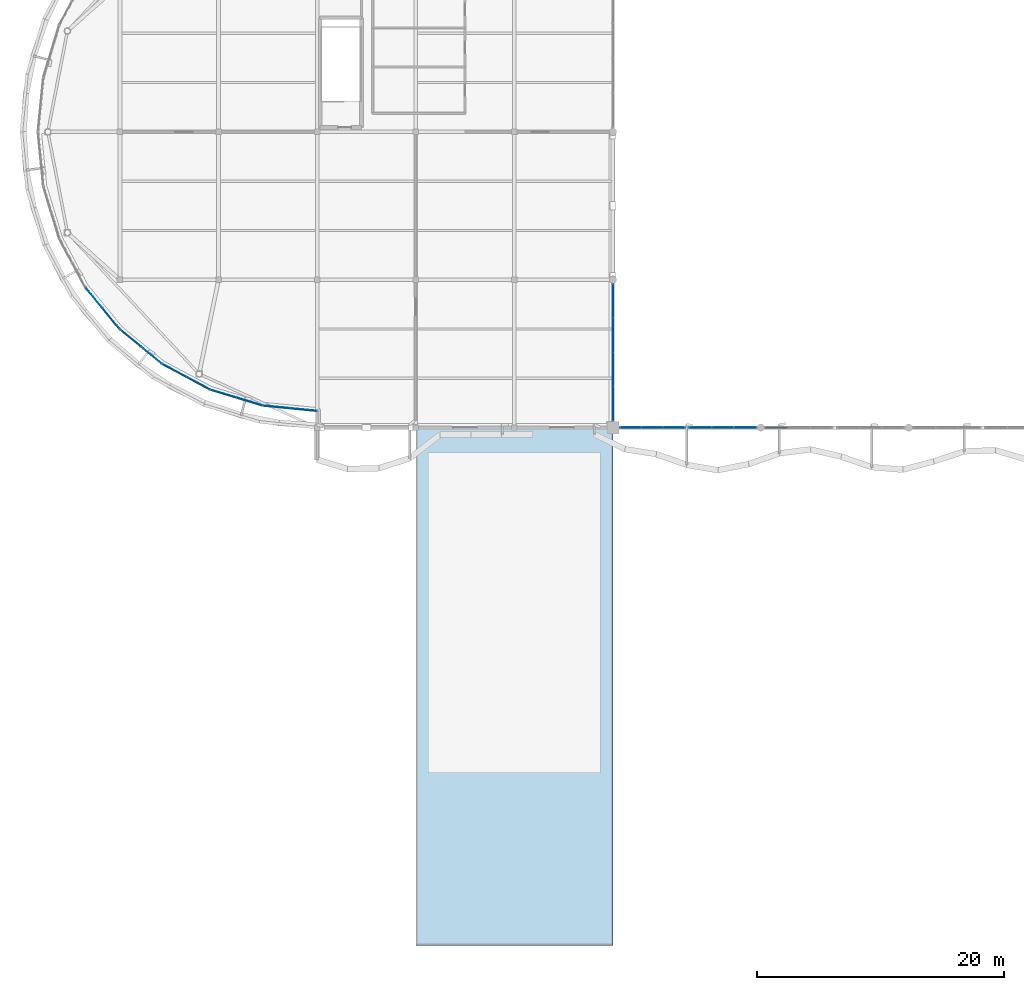
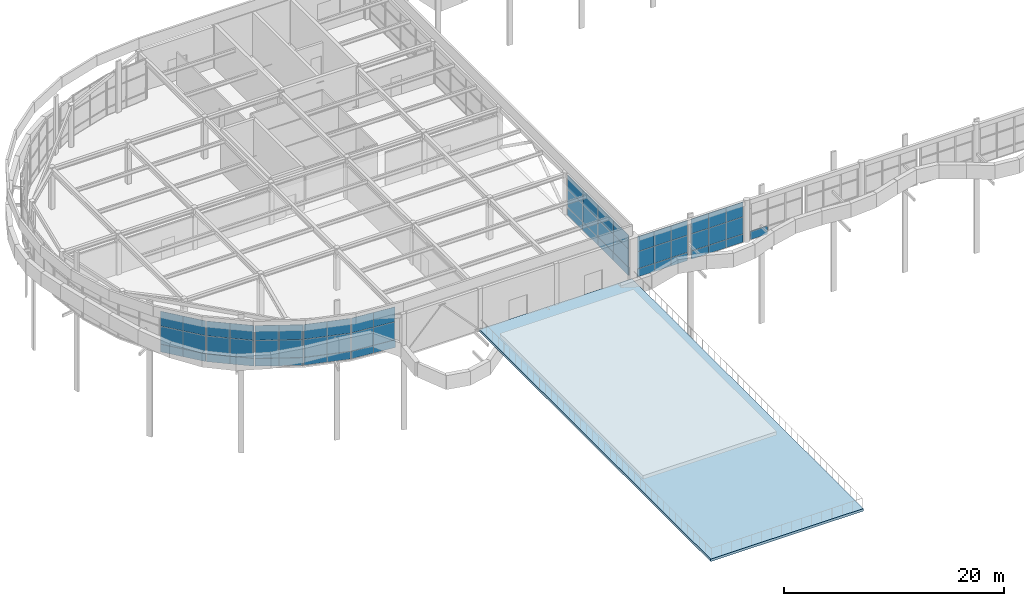
# One storey, part 33 of 63: 61 plates, 1 slab, 9 elements without a shape of their own.
"""IFC4 building model written with IfcOpenShell, lengths in metres."""

from ifc_helpers import new_model, si_unit, direction, frame, origin, origin_2d, place, context, subcontext, project, spatial, polyline, rectangle, outline, extrude, material, layer, layer_set, type_object, element, aggregate, save


model = new_model("IFC4")

# Units and contexts
model_context = context("Model", 3, precision=1e-05, world=origin(), true_north=direction((0.0, 1.0)))
body_context = subcontext(model_context, "Body", "Model", "MODEL_VIEW")
ifc_project = project(units=[si_unit("LENGTHUNIT", "METRE"), si_unit("AREAUNIT", "SQUARE_METRE"), si_unit("VOLUMEUNIT", "CUBIC_METRE"), si_unit("PLANEANGLEUNIT", "RADIAN"), si_unit("MASSUNIT", "GRAM", prefix="KILO")], contexts=[model_context])

# Site, building, storey
site_placement = place(None, origin())
site = spatial("IfcSite", under=ifc_project, at=site_placement, CompositionType="ELEMENT")
building_placement = place(site_placement, origin())
building = spatial("IfcBuilding", under=site, at=building_placement, Name="Keelwater Ferry Terminal", CompositionType="ELEMENT")
storey_placement = place(building_placement, frame((0.0, 0.0, 10.199951171875)))
storey = spatial("IfcBuildingStorey", under=building, at=storey_placement, Name="L02", CompositionType="ELEMENT", Elevation=10.199951171875)

# Curtain wall, plates
ifc_material_1 = material(Name="Thermally broken unitised aluminium and triple glass", Category="aluminium")
ifc_layer_1 = layer(ifc_material_1, 0.179931640625)
ifc_layer_set_1 = layer_set([ifc_layer_1], Name="Thermally broken unitised aluminium and triple glass")
curtain_wall_type_1 = type_object("IfcCurtainWallType", Name="CW-03 Unitised Curtain Wall 5230x4450", PredefinedType="USERDEFINED", material=ifc_layer_set_1)
curtain_wall_1_placement = place(storey_placement, origin())
curtain_wall_1 = element("IfcCurtainWall", 1, at=curtain_wall_1_placement, inside=storey, type_object=curtain_wall_type_1, Name="Unitised Curtain Wall CW-L02-011", ObjectType="UNITISED CURTAIN WALL", PredefinedType="USERDEFINED")
ifc_material_2 = material(Name="Insulated white cassette spandrel", Category="aluminium")
ifc_layer_2 = layer(ifc_material_2, 0.094970703125)
ifc_layer_set_2 = layer_set([ifc_layer_2], Name="Insulated white cassette spandrel")
plate_type_1 = type_object("IfcPlateType", Name="CWP-S2 Insulated Spandrel Panel 95", PredefinedType="CURTAIN_PANEL", material=ifc_layer_set_2)
plate_1_placement = place(storey_placement, frame((49.44677734375, 42.0, 0.0), z_axis=(0.0, 0.0, 1.0), x_axis=(1.0, 0.0, 0.0)))
plate_1 = element("IfcPlate", 2, at=plate_1_placement, type_object=plate_type_1, Name="CW-L02-011 Panel 1.1", PredefinedType="CURTAIN_PANEL", context=body_context, shape_type="SweptSolid", body=[
    extrude(rectangle(XDim=1.743408203125, YDim=0.094970703125, at=origin_2d()), origin(), (0.0, 0.0, 1.0), 0.89990234375),
])
plate_2_placement = place(storey_placement, frame((51.18994140625, 42.0, 0.0), z_axis=(0.0, 0.0, 1.0), x_axis=(1.0, 0.0, 0.0)))
plate_2 = element("IfcPlate", 3, at=plate_2_placement, type_object=plate_type_1, Name="CW-L02-011 Panel 2.1", PredefinedType="CURTAIN_PANEL", context=body_context, shape_type="SweptSolid", body=[
    extrude(rectangle(XDim=1.743408203125, YDim=0.094970703125, at=origin_2d()), origin(), (0.0, 0.0, 1.0), 0.89990234375),
])
plate_3_placement = place(storey_placement, frame((52.933349609375, 42.0, 0.0), z_axis=(0.0, 0.0, 1.0), x_axis=(1.0, 0.0, 0.0)))
plate_3 = element("IfcPlate", 4, at=plate_3_placement, type_object=plate_type_1, Name="CW-L02-011 Panel 3.1", PredefinedType="CURTAIN_PANEL", context=body_context, shape_type="SweptSolid", body=[
    extrude(rectangle(XDim=1.743408203125, YDim=0.094970703125, at=origin_2d()), origin(), (0.0, 0.0, 1.0), 0.89990234375),
])

ifc_material_3 = material(Name="Thermally broken unitised aluminium and triple glass", Category="aluminium")
ifc_layer_3 = layer(ifc_material_3, 0.179931640625)
ifc_layer_set_3 = layer_set([ifc_layer_3], Name="Thermally broken unitised aluminium and triple glass")
curtain_wall_type_2 = type_object("IfcCurtainWallType", Name="CW-04 Unitised Curtain Wall 5430x4450", PredefinedType="USERDEFINED", material=ifc_layer_set_3)
curtain_wall_2_placement = place(storey_placement, origin())
curtain_wall_2 = element("IfcCurtainWall", 5, at=curtain_wall_2_placement, inside=storey, type_object=curtain_wall_type_2, Name="Unitised Curtain Wall CW-L02-012", ObjectType="UNITISED CURTAIN WALL", PredefinedType="USERDEFINED")
plate_4_placement = place(storey_placement, frame((55.10009765625, 42.0, 0.0), z_axis=(0.0, 0.0, 1.0), x_axis=(1.0, 0.0, 0.0)))
plate_4 = element("IfcPlate", 6, at=plate_4_placement, type_object=plate_type_1, Name="CW-L02-012 Panel 1.1", PredefinedType="CURTAIN_PANEL", context=body_context, shape_type="SweptSolid", body=[
    extrude(rectangle(XDim=1.81005859375, YDim=0.094970703125, at=origin_2d()), origin(), (0.0, 0.0, 1.0), 0.89990234375),
])
plate_5_placement = place(storey_placement, frame((56.909912109375, 42.0, 0.0), z_axis=(0.0, 0.0, 1.0), x_axis=(1.0, 0.0, 0.0)))
plate_5 = element("IfcPlate", 7, at=plate_5_placement, type_object=plate_type_1, Name="CW-L02-012 Panel 2.1", PredefinedType="CURTAIN_PANEL", context=body_context, shape_type="SweptSolid", body=[
    extrude(rectangle(XDim=1.81005859375, YDim=0.094970703125, at=origin_2d()), origin(), (0.0, 0.0, 1.0), 0.89990234375),
])
plate_6_placement = place(storey_placement, frame((58.719970703125, 42.0, 0.0), z_axis=(0.0, 0.0, 1.0), x_axis=(1.0, 0.0, 0.0)))
plate_6 = element("IfcPlate", 8, at=plate_6_placement, type_object=plate_type_1, Name="CW-L02-012 Panel 3.1", PredefinedType="CURTAIN_PANEL", context=body_context, shape_type="SweptSolid", body=[
    extrude(rectangle(XDim=1.81005859375, YDim=0.094970703125, at=origin_2d()), origin(), (0.0, 0.0, 1.0), 0.89990234375),
])

# Curtain wall, plate
curtain_wall_3_placement = place(storey_placement, origin())
curtain_wall_3 = element("IfcCurtainWall", 9, at=curtain_wall_3_placement, inside=storey, type_object=curtain_wall_type_2, Name="Unitised Curtain Wall CW-L02-013", ObjectType="UNITISED CURTAIN WALL", PredefinedType="USERDEFINED")
plate_7_placement = place(storey_placement, frame((61.280029296875, 42.0, 0.0), z_axis=(0.0, 0.0, 1.0), x_axis=(1.0, 0.0, 0.0)))
plate_7 = element("IfcPlate", 10, at=plate_7_placement, type_object=plate_type_1, Name="CW-L02-013 Panel 1.1", PredefinedType="CURTAIN_PANEL", context=body_context, shape_type="SweptSolid", body=[
    extrude(rectangle(XDim=1.81005859375, YDim=0.094970703125, at=origin_2d()), origin(), (0.0, 0.0, 1.0), 0.89990234375),
])
aggregate(curtain_wall_3, [plate_7])

# Curtain wall, plates
ifc_material_4 = material(Name="Thermally broken unitised aluminium and triple glass", Category="aluminium")
ifc_layer_4 = layer(ifc_material_4, 0.179931640625)
ifc_layer_set_4 = layer_set([ifc_layer_4], Name="Thermally broken unitised aluminium and triple glass")
curtain_wall_type_3 = type_object("IfcCurtainWallType", Name="CW-14 Unitised Curtain Wall 11050x4450", PredefinedType="USERDEFINED", material=ifc_layer_set_4)
curtain_wall_4_placement = place(storey_placement, origin())
curtain_wall_4 = element("IfcCurtainWall", 11, at=curtain_wall_4_placement, inside=storey, type_object=curtain_wall_type_3, Name="Unitised Curtain Wall CW-L02-071", ObjectType="UNITISED CURTAIN WALL", PredefinedType="USERDEFINED")
plate_8_placement = place(storey_placement, frame((48.0, 43.956298828125, 0.0), z_axis=(0.0, 0.0, 1.0), x_axis=(0.0, 1.0, 0.0)))
plate_8 = element("IfcPlate", 12, at=plate_8_placement, type_object=plate_type_1, Name="CW-L02-071 Panel 1.1", PredefinedType="CURTAIN_PANEL", context=body_context, shape_type="SweptSolid", body=[
    extrude(rectangle(XDim=2.762451171875, YDim=0.094970703125, at=origin_2d()), origin(), (0.0, 0.0, 1.0), 0.89990234375),
])
plate_9_placement = place(storey_placement, frame((48.0, 46.71875, 0.0), z_axis=(0.0, 0.0, 1.0), x_axis=(0.0, 1.0, 0.0)))
plate_9 = element("IfcPlate", 13, at=plate_9_placement, type_object=plate_type_1, Name="CW-L02-071 Panel 2.1", PredefinedType="CURTAIN_PANEL", context=body_context, shape_type="SweptSolid", body=[
    extrude(rectangle(XDim=2.762451171875, YDim=0.094970703125, at=origin_2d()), origin(), (0.0, 0.0, 1.0), 0.89990234375),
])
plate_10_placement = place(storey_placement, frame((48.0, 49.481201171875, 0.0), z_axis=(0.0, 0.0, 1.0), x_axis=(0.0, 1.0, 0.0)))
plate_10 = element("IfcPlate", 14, at=plate_10_placement, type_object=plate_type_1, Name="CW-L02-071 Panel 3.1", PredefinedType="CURTAIN_PANEL", context=body_context, shape_type="SweptSolid", body=[
    extrude(rectangle(XDim=2.762451171875, YDim=0.094970703125, at=origin_2d()), origin(), (0.0, 0.0, 1.0), 0.89990234375),
])
plate_11_placement = place(storey_placement, frame((48.0, 52.24365234375, 0.0), z_axis=(0.0, 0.0, 1.0), x_axis=(0.0, 1.0, 0.0)))
plate_11 = element("IfcPlate", 15, at=plate_11_placement, type_object=plate_type_1, Name="CW-L02-071 Panel 4.1", PredefinedType="CURTAIN_PANEL", context=body_context, shape_type="SweptSolid", body=[
    extrude(rectangle(XDim=2.762451171875, YDim=0.094970703125, at=origin_2d()), origin(), (0.0, 0.0, 1.0), 0.89990234375),
])

ifc_material_5 = material(Name="Thermally broken unitised aluminium and triple glass", Category="aluminium")
ifc_layer_5 = layer(ifc_material_5, 0.179931640625)
ifc_layer_set_5 = layer_set([ifc_layer_5], Name="Thermally broken unitised aluminium and triple glass")
curtain_wall_type_4 = type_object("IfcCurtainWallType", Name="CW-18 Unitised Curtain Wall 4350x4480", PredefinedType="USERDEFINED", material=ifc_layer_set_5)
curtain_wall_5_placement = place(storey_placement, origin())
curtain_wall_5 = element("IfcCurtainWall", 16, at=curtain_wall_5_placement, inside=storey, type_object=curtain_wall_type_4, Name="Unitised Curtain Wall CW-L02-152", ObjectType="UNITISED CURTAIN WALL", PredefinedType="USERDEFINED")
plate_12_placement = place(storey_placement, frame((5.8857421875, 52.54052734375, 0.0), z_axis=(0.0, 0.0, 1.0), x_axis=(0.634376508991, -0.773024220086, 0.0)))
plate_12 = element("IfcPlate", 17, at=plate_12_placement, type_object=plate_type_1, Name="CW-L02-152 Panel 1.1", PredefinedType="CURTAIN_PANEL", context=body_context, shape_type="SweptSolid", body=[
    extrude(rectangle(XDim=2.174560546875, YDim=0.094970703125, at=origin_2d()), origin(), (0.0, 0.0, 1.0), 0.85009765625),
])
plate_13_placement = place(storey_placement, frame((7.26513671875, 50.859619140625, 0.0), z_axis=(0.0, 0.0, 1.0), x_axis=(0.634376508991, -0.773024220086, 0.0)))
plate_13 = element("IfcPlate", 18, at=plate_13_placement, type_object=plate_type_1, Name="CW-L02-152 Panel 2.1", PredefinedType="CURTAIN_PANEL", context=body_context, shape_type="SweptSolid", body=[
    extrude(rectangle(XDim=2.174560546875, YDim=0.094970703125, at=origin_2d()), origin(), (0.0, 0.0, 1.0), 0.85009765625),
])

curtain_wall_6_placement = place(storey_placement, origin())
curtain_wall_6 = element("IfcCurtainWall", 19, at=curtain_wall_6_placement, inside=storey, type_object=curtain_wall_type_4, Name="Unitised Curtain Wall CW-L02-153", ObjectType="UNITISED CURTAIN WALL", PredefinedType="USERDEFINED")
plate_14_placement = place(storey_placement, frame((8.859619140625, 49.26513671875, 0.0), z_axis=(0.0, 0.0, 1.0), x_axis=(0.773024220086, -0.634376508991, 0.0)))
plate_14 = element("IfcPlate", 20, at=plate_14_placement, type_object=plate_type_1, Name="CW-L02-153 Panel 1.1", PredefinedType="CURTAIN_PANEL", context=body_context, shape_type="SweptSolid", body=[
    extrude(rectangle(XDim=2.174560546875, YDim=0.094970703125, at=origin_2d()), origin(), (0.0, 0.0, 1.0), 0.85009765625),
])
plate_15_placement = place(storey_placement, frame((10.54052734375, 47.8857421875, 0.0), z_axis=(0.0, 0.0, 1.0), x_axis=(0.773024220086, -0.634376508991, 0.0)))
plate_15 = element("IfcPlate", 21, at=plate_15_placement, type_object=plate_type_1, Name="CW-L02-153 Panel 2.1", PredefinedType="CURTAIN_PANEL", context=body_context, shape_type="SweptSolid", body=[
    extrude(rectangle(XDim=2.174560546875, YDim=0.094970703125, at=origin_2d()), origin(), (0.0, 0.0, 1.0), 0.85009765625),
])

curtain_wall_7_placement = place(storey_placement, origin())
curtain_wall_7 = element("IfcCurtainWall", 22, at=curtain_wall_7_placement, inside=storey, type_object=curtain_wall_type_4, Name="Unitised Curtain Wall CW-L02-154", ObjectType="UNITISED CURTAIN WALL", PredefinedType="USERDEFINED")
plate_16_placement = place(storey_placement, frame((12.4150390625, 46.63330078125, 0.0), z_axis=(0.0, 0.0, 1.0), x_axis=(0.881862452632, -0.471506749303, 0.0)))
plate_16 = element("IfcPlate", 23, at=plate_16_placement, type_object=plate_type_1, Name="CW-L02-154 Panel 1.1", PredefinedType="CURTAIN_PANEL", context=body_context, shape_type="SweptSolid", body=[
    extrude(rectangle(XDim=2.175048828125, YDim=0.094970703125, at=origin_2d()), origin(), (0.0, 0.0, 1.0), 0.85009765625),
])
plate_17_placement = place(storey_placement, frame((14.3330078125, 45.607666015625, 0.0), z_axis=(0.0, 0.0, 1.0), x_axis=(0.881862452632, -0.471506749303, 0.0)))
plate_17 = element("IfcPlate", 24, at=plate_17_placement, type_object=plate_type_1, Name="CW-L02-154 Panel 2.1", PredefinedType="CURTAIN_PANEL", context=body_context, shape_type="SweptSolid", body=[
    extrude(rectangle(XDim=2.175048828125, YDim=0.094970703125, at=origin_2d()), origin(), (0.0, 0.0, 1.0), 0.85009765625),
])

curtain_wall_8_placement = place(storey_placement, origin())
curtain_wall_8 = element("IfcCurtainWall", 25, at=curtain_wall_8_placement, inside=storey, type_object=curtain_wall_type_4, Name="Unitised Curtain Wall CW-L02-155", ObjectType="UNITISED CURTAIN WALL", PredefinedType="USERDEFINED")
plate_18_placement = place(storey_placement, frame((16.415771484375, 44.745361328125, 0.0), z_axis=(0.0, 0.0, 1.0), x_axis=(0.956929623319, -0.290319989003, 0.0)))
plate_18 = element("IfcPlate", 26, at=plate_18_placement, type_object=plate_type_1, Name="CW-L02-155 Panel 1.1", PredefinedType="CURTAIN_PANEL", context=body_context, shape_type="SweptSolid", body=[
    extrude(rectangle(XDim=2.17529296875, YDim=0.094970703125, at=origin_2d()), origin(), (0.0, 0.0, 1.0), 0.85009765625),
])
plate_19_placement = place(storey_placement, frame((18.497314453125, 44.11376953125, 0.0), z_axis=(0.0, 0.0, 1.0), x_axis=(0.956929623319, -0.290319989003, 0.0)))
plate_19 = element("IfcPlate", 27, at=plate_19_placement, type_object=plate_type_1, Name="CW-L02-155 Panel 2.1", PredefinedType="CURTAIN_PANEL", context=body_context, shape_type="SweptSolid", body=[
    extrude(rectangle(XDim=2.17529296875, YDim=0.094970703125, at=origin_2d()), origin(), (0.0, 0.0, 1.0), 0.85009765625),
])

curtain_wall_9_placement = place(storey_placement, origin())
curtain_wall_9 = element("IfcCurtainWall", 28, at=curtain_wall_9_placement, inside=storey, type_object=curtain_wall_type_4, Name="Unitised Curtain Wall CW-L02-156", ObjectType="UNITISED CURTAIN WALL", PredefinedType="USERDEFINED")
plate_20_placement = place(storey_placement, frame((20.708251953125, 43.67431640625, 0.0), z_axis=(0.0, 0.0, 1.0), x_axis=(0.995170573079, -0.098160737969, 0.0)))
plate_20 = element("IfcPlate", 29, at=plate_20_placement, type_object=plate_type_1, Name="CW-L02-156 Panel 1.1", PredefinedType="CURTAIN_PANEL", context=body_context, shape_type="SweptSolid", body=[
    extrude(rectangle(XDim=2.175048828125, YDim=0.094970703125, at=origin_2d()), origin(), (0.0, 0.0, 1.0), 0.85009765625),
])
plate_21_placement = place(storey_placement, frame((22.872802734375, 43.460693359375, 0.0), z_axis=(0.0, 0.0, 1.0), x_axis=(0.995170573079, -0.098160737969, 0.0)))
plate_21 = element("IfcPlate", 30, at=plate_21_placement, type_object=plate_type_1, Name="CW-L02-156 Panel 2.1", PredefinedType="CURTAIN_PANEL", context=body_context, shape_type="SweptSolid", body=[
    extrude(rectangle(XDim=2.175048828125, YDim=0.094970703125, at=origin_2d()), origin(), (0.0, 0.0, 1.0), 0.85009765625),
])

# Plate
ifc_material_6 = material(Name="Triple low-E laminated glass", Category="glass")
ifc_layer_6 = layer(ifc_material_6, 0.035888671875)
ifc_layer_set_6 = layer_set([ifc_layer_6], Name="Triple low-E laminated glass")
plate_type_2 = type_object("IfcPlateType", Name="CWP-V1 Glazed Vision Panel 36", PredefinedType="CURTAIN_PANEL", material=ifc_layer_set_6)
plate_22_placement = place(storey_placement, frame((5.8857421875, 52.54052734375, 0.85009765625), z_axis=(0.0, 0.0, 1.0), x_axis=(0.634376508991, -0.773024220086, 0.0)))
plate_22 = element("IfcPlate", 31, at=plate_22_placement, type_object=plate_type_2, Name="CW-L02-152 Panel 1.2", PredefinedType="CURTAIN_PANEL", context=body_context, shape_type="SweptSolid", body=[
    extrude(rectangle(XDim=2.174560546875, YDim=0.035888671875, at=origin_2d()), origin(), (0.0, 0.0, 1.0), 2.0),
])

plate_23_placement = place(storey_placement, frame((5.8857421875, 52.54052734375, 2.85009765625), z_axis=(0.0, 0.0, 1.0), x_axis=(0.634376508991, -0.773024220086, 0.0)))
plate_23 = element("IfcPlate", 32, at=plate_23_placement, type_object=plate_type_2, Name="CW-L02-152 Panel 1.3", PredefinedType="CURTAIN_PANEL", context=body_context, shape_type="SweptSolid", body=[
    extrude(rectangle(XDim=2.174560546875, YDim=0.035888671875, at=origin_2d()), origin(), (0.0, 0.0, 1.0), 1.6298828125),
])

plate_24_placement = place(storey_placement, frame((7.26513671875, 50.859619140625, 0.85009765625), z_axis=(0.0, 0.0, 1.0), x_axis=(0.634376508991, -0.773024220086, 0.0)))
plate_24 = element("IfcPlate", 33, at=plate_24_placement, type_object=plate_type_2, Name="CW-L02-152 Panel 2.2", PredefinedType="CURTAIN_PANEL", context=body_context, shape_type="SweptSolid", body=[
    extrude(rectangle(XDim=2.174560546875, YDim=0.035888671875, at=origin_2d()), origin(), (0.0, 0.0, 1.0), 2.0),
])

plate_25_placement = place(storey_placement, frame((7.26513671875, 50.859619140625, 2.85009765625), z_axis=(0.0, 0.0, 1.0), x_axis=(0.634376508991, -0.773024220086, 0.0)))
plate_25 = element("IfcPlate", 34, at=plate_25_placement, type_object=plate_type_2, Name="CW-L02-152 Panel 2.3", PredefinedType="CURTAIN_PANEL", context=body_context, shape_type="SweptSolid", body=[
    extrude(rectangle(XDim=2.174560546875, YDim=0.035888671875, at=origin_2d()), origin(), (0.0, 0.0, 1.0), 1.6298828125),
])

aggregate(curtain_wall_5, [plate_12, plate_22, plate_23, plate_13, plate_24, plate_25])

plate_26_placement = place(storey_placement, frame((8.859619140625, 49.26513671875, 0.85009765625), z_axis=(0.0, 0.0, 1.0), x_axis=(0.773024220086, -0.634376508991, 0.0)))
plate_26 = element("IfcPlate", 35, at=plate_26_placement, type_object=plate_type_2, Name="CW-L02-153 Panel 1.2", PredefinedType="CURTAIN_PANEL", context=body_context, shape_type="SweptSolid", body=[
    extrude(rectangle(XDim=2.174560546875, YDim=0.035888671875, at=origin_2d()), origin(), (0.0, 0.0, 1.0), 2.0),
])

plate_27_placement = place(storey_placement, frame((8.859619140625, 49.26513671875, 2.85009765625), z_axis=(0.0, 0.0, 1.0), x_axis=(0.773024220086, -0.634376508991, 0.0)))
plate_27 = element("IfcPlate", 36, at=plate_27_placement, type_object=plate_type_2, Name="CW-L02-153 Panel 1.3", PredefinedType="CURTAIN_PANEL", context=body_context, shape_type="SweptSolid", body=[
    extrude(rectangle(XDim=2.174560546875, YDim=0.035888671875, at=origin_2d()), origin(), (0.0, 0.0, 1.0), 1.6298828125),
])

plate_28_placement = place(storey_placement, frame((10.54052734375, 47.8857421875, 0.85009765625), z_axis=(0.0, 0.0, 1.0), x_axis=(0.773024220086, -0.634376508991, 0.0)))
plate_28 = element("IfcPlate", 37, at=plate_28_placement, type_object=plate_type_2, Name="CW-L02-153 Panel 2.2", PredefinedType="CURTAIN_PANEL", context=body_context, shape_type="SweptSolid", body=[
    extrude(rectangle(XDim=2.174560546875, YDim=0.035888671875, at=origin_2d()), origin(), (0.0, 0.0, 1.0), 2.0),
])

plate_29_placement = place(storey_placement, frame((10.54052734375, 47.8857421875, 2.85009765625), z_axis=(0.0, 0.0, 1.0), x_axis=(0.773024220086, -0.634376508991, 0.0)))
plate_29 = element("IfcPlate", 38, at=plate_29_placement, type_object=plate_type_2, Name="CW-L02-153 Panel 2.3", PredefinedType="CURTAIN_PANEL", context=body_context, shape_type="SweptSolid", body=[
    extrude(rectangle(XDim=2.174560546875, YDim=0.035888671875, at=origin_2d()), origin(), (0.0, 0.0, 1.0), 1.6298828125),
])

aggregate(curtain_wall_6, [plate_14, plate_26, plate_27, plate_15, plate_28, plate_29])

plate_30_placement = place(storey_placement, frame((12.4150390625, 46.63330078125, 0.85009765625), z_axis=(0.0, 0.0, 1.0), x_axis=(0.881862452632, -0.471506749303, 0.0)))
plate_30 = element("IfcPlate", 39, at=plate_30_placement, type_object=plate_type_2, Name="CW-L02-154 Panel 1.2", PredefinedType="CURTAIN_PANEL", context=body_context, shape_type="SweptSolid", body=[
    extrude(rectangle(XDim=2.175048828125, YDim=0.035888671875, at=origin_2d()), origin(), (0.0, 0.0, 1.0), 2.0),
])

plate_31_placement = place(storey_placement, frame((12.4150390625, 46.63330078125, 2.85009765625), z_axis=(0.0, 0.0, 1.0), x_axis=(0.881862452632, -0.471506749303, 0.0)))
plate_31 = element("IfcPlate", 40, at=plate_31_placement, type_object=plate_type_2, Name="CW-L02-154 Panel 1.3", PredefinedType="CURTAIN_PANEL", context=body_context, shape_type="SweptSolid", body=[
    extrude(rectangle(XDim=2.175048828125, YDim=0.035888671875, at=origin_2d()), origin(), (0.0, 0.0, 1.0), 1.6298828125),
])

plate_32_placement = place(storey_placement, frame((14.3330078125, 45.607666015625, 0.85009765625), z_axis=(0.0, 0.0, 1.0), x_axis=(0.881862452632, -0.471506749303, 0.0)))
plate_32 = element("IfcPlate", 41, at=plate_32_placement, type_object=plate_type_2, Name="CW-L02-154 Panel 2.2", PredefinedType="CURTAIN_PANEL", context=body_context, shape_type="SweptSolid", body=[
    extrude(rectangle(XDim=2.175048828125, YDim=0.035888671875, at=origin_2d()), origin(), (0.0, 0.0, 1.0), 2.0),
])

plate_33_placement = place(storey_placement, frame((14.3330078125, 45.607666015625, 2.85009765625), z_axis=(0.0, 0.0, 1.0), x_axis=(0.881862452632, -0.471506749303, 0.0)))
plate_33 = element("IfcPlate", 42, at=plate_33_placement, type_object=plate_type_2, Name="CW-L02-154 Panel 2.3", PredefinedType="CURTAIN_PANEL", context=body_context, shape_type="SweptSolid", body=[
    extrude(rectangle(XDim=2.175048828125, YDim=0.035888671875, at=origin_2d()), origin(), (0.0, 0.0, 1.0), 1.6298828125),
])

aggregate(curtain_wall_7, [plate_16, plate_30, plate_31, plate_17, plate_32, plate_33])

plate_34_placement = place(storey_placement, frame((16.415771484375, 44.745361328125, 0.85009765625), z_axis=(0.0, 0.0, 1.0), x_axis=(0.956929623319, -0.290319989003, 0.0)))
plate_34 = element("IfcPlate", 43, at=plate_34_placement, type_object=plate_type_2, Name="CW-L02-155 Panel 1.2", PredefinedType="CURTAIN_PANEL", context=body_context, shape_type="SweptSolid", body=[
    extrude(rectangle(XDim=2.17529296875, YDim=0.035888671875, at=origin_2d()), origin(), (0.0, 0.0, 1.0), 2.0),
])

plate_35_placement = place(storey_placement, frame((16.415771484375, 44.745361328125, 2.85009765625), z_axis=(0.0, 0.0, 1.0), x_axis=(0.956929623319, -0.290319989003, 0.0)))
plate_35 = element("IfcPlate", 44, at=plate_35_placement, type_object=plate_type_2, Name="CW-L02-155 Panel 1.3", PredefinedType="CURTAIN_PANEL", context=body_context, shape_type="SweptSolid", body=[
    extrude(rectangle(XDim=2.17529296875, YDim=0.035888671875, at=origin_2d()), origin(), (0.0, 0.0, 1.0), 1.6298828125),
])

plate_36_placement = place(storey_placement, frame((18.497314453125, 44.11376953125, 0.85009765625), z_axis=(0.0, 0.0, 1.0), x_axis=(0.956929623319, -0.290319989003, 0.0)))
plate_36 = element("IfcPlate", 45, at=plate_36_placement, type_object=plate_type_2, Name="CW-L02-155 Panel 2.2", PredefinedType="CURTAIN_PANEL", context=body_context, shape_type="SweptSolid", body=[
    extrude(rectangle(XDim=2.17529296875, YDim=0.035888671875, at=origin_2d()), origin(), (0.0, 0.0, 1.0), 2.0),
])

plate_37_placement = place(storey_placement, frame((18.497314453125, 44.11376953125, 2.85009765625), z_axis=(0.0, 0.0, 1.0), x_axis=(0.956929623319, -0.290319989003, 0.0)))
plate_37 = element("IfcPlate", 46, at=plate_37_placement, type_object=plate_type_2, Name="CW-L02-155 Panel 2.3", PredefinedType="CURTAIN_PANEL", context=body_context, shape_type="SweptSolid", body=[
    extrude(rectangle(XDim=2.17529296875, YDim=0.035888671875, at=origin_2d()), origin(), (0.0, 0.0, 1.0), 1.6298828125),
])

aggregate(curtain_wall_8, [plate_18, plate_34, plate_35, plate_19, plate_36, plate_37])

plate_38_placement = place(storey_placement, frame((20.708251953125, 43.67431640625, 0.85009765625), z_axis=(0.0, 0.0, 1.0), x_axis=(0.995170573079, -0.098160737969, 0.0)))
plate_38 = element("IfcPlate", 47, at=plate_38_placement, type_object=plate_type_2, Name="CW-L02-156 Panel 1.2", PredefinedType="CURTAIN_PANEL", context=body_context, shape_type="SweptSolid", body=[
    extrude(rectangle(XDim=2.175048828125, YDim=0.035888671875, at=origin_2d()), origin(), (0.0, 0.0, 1.0), 2.0),
])

plate_39_placement = place(storey_placement, frame((20.708251953125, 43.67431640625, 2.85009765625), z_axis=(0.0, 0.0, 1.0), x_axis=(0.995170573079, -0.098160737969, 0.0)))
plate_39 = element("IfcPlate", 48, at=plate_39_placement, type_object=plate_type_2, Name="CW-L02-156 Panel 1.3", PredefinedType="CURTAIN_PANEL", context=body_context, shape_type="SweptSolid", body=[
    extrude(rectangle(XDim=2.175048828125, YDim=0.035888671875, at=origin_2d()), origin(), (0.0, 0.0, 1.0), 1.6298828125),
])

plate_40_placement = place(storey_placement, frame((22.872802734375, 43.460693359375, 0.85009765625), z_axis=(0.0, 0.0, 1.0), x_axis=(0.995170573079, -0.098160737969, 0.0)))
plate_40 = element("IfcPlate", 49, at=plate_40_placement, type_object=plate_type_2, Name="CW-L02-156 Panel 2.2", PredefinedType="CURTAIN_PANEL", context=body_context, shape_type="SweptSolid", body=[
    extrude(rectangle(XDim=2.175048828125, YDim=0.035888671875, at=origin_2d()), origin(), (0.0, 0.0, 1.0), 2.0),
])

plate_41_placement = place(storey_placement, frame((22.872802734375, 43.460693359375, 2.85009765625), z_axis=(0.0, 0.0, 1.0), x_axis=(0.995170573079, -0.098160737969, 0.0)))
plate_41 = element("IfcPlate", 50, at=plate_41_placement, type_object=plate_type_2, Name="CW-L02-156 Panel 2.3", PredefinedType="CURTAIN_PANEL", context=body_context, shape_type="SweptSolid", body=[
    extrude(rectangle(XDim=2.175048828125, YDim=0.035888671875, at=origin_2d()), origin(), (0.0, 0.0, 1.0), 1.6298828125),
])

aggregate(curtain_wall_9, [plate_20, plate_38, plate_39, plate_21, plate_40, plate_41])

ifc_material_7 = material(Name="Triple solar-control glass", Category="glass")
ifc_layer_7 = layer(ifc_material_7, 0.0419921875)
ifc_layer_set_7 = layer_set([ifc_layer_7], Name="Triple solar-control glass")
plate_type_3 = type_object("IfcPlateType", Name="CWP-V2 Glazed Vision Panel 42", PredefinedType="CURTAIN_PANEL", material=ifc_layer_set_7)
plate_42_placement = place(storey_placement, frame((49.44677734375, 42.0, 0.900146484375), z_axis=(0.0, 0.0, 1.0), x_axis=(1.0, 0.0, 0.0)))
plate_42 = element("IfcPlate", 51, at=plate_42_placement, type_object=plate_type_3, Name="CW-L02-011 Panel 1.2", PredefinedType="CURTAIN_PANEL", context=body_context, shape_type="SweptSolid", body=[
    extrude(rectangle(XDim=1.743408203125, YDim=0.0419921875, at=origin_2d()), origin(), (0.0, 0.0, 1.0), 1.89990234375),
])

plate_43_placement = place(storey_placement, frame((49.44677734375, 42.0, 2.800048828125), z_axis=(0.0, 0.0, 1.0), x_axis=(1.0, 0.0, 0.0)))
plate_43 = element("IfcPlate", 52, at=plate_43_placement, type_object=plate_type_3, Name="CW-L02-011 Panel 1.3", PredefinedType="CURTAIN_PANEL", context=body_context, shape_type="SweptSolid", body=[
    extrude(rectangle(XDim=1.743408203125, YDim=0.0419921875, at=origin_2d()), origin(), (0.0, 0.0, 1.0), 1.64990234375),
])

plate_44_placement = place(storey_placement, frame((51.18994140625, 42.0, 0.900146484375), z_axis=(0.0, 0.0, 1.0), x_axis=(1.0, 0.0, 0.0)))
plate_44 = element("IfcPlate", 53, at=plate_44_placement, type_object=plate_type_3, Name="CW-L02-011 Panel 2.2", PredefinedType="CURTAIN_PANEL", context=body_context, shape_type="SweptSolid", body=[
    extrude(rectangle(XDim=1.743408203125, YDim=0.0419921875, at=origin_2d()), origin(), (0.0, 0.0, 1.0), 1.89990234375),
])

plate_45_placement = place(storey_placement, frame((51.18994140625, 42.0, 2.800048828125), z_axis=(0.0, 0.0, 1.0), x_axis=(1.0, 0.0, 0.0)))
plate_45 = element("IfcPlate", 54, at=plate_45_placement, type_object=plate_type_3, Name="CW-L02-011 Panel 2.3", PredefinedType="CURTAIN_PANEL", context=body_context, shape_type="SweptSolid", body=[
    extrude(rectangle(XDim=1.743408203125, YDim=0.0419921875, at=origin_2d()), origin(), (0.0, 0.0, 1.0), 1.64990234375),
])

plate_46_placement = place(storey_placement, frame((52.933349609375, 42.0, 0.900146484375), z_axis=(0.0, 0.0, 1.0), x_axis=(1.0, 0.0, 0.0)))
plate_46 = element("IfcPlate", 55, at=plate_46_placement, type_object=plate_type_3, Name="CW-L02-011 Panel 3.2", PredefinedType="CURTAIN_PANEL", context=body_context, shape_type="SweptSolid", body=[
    extrude(rectangle(XDim=1.743408203125, YDim=0.0419921875, at=origin_2d()), origin(), (0.0, 0.0, 1.0), 1.89990234375),
])

plate_47_placement = place(storey_placement, frame((52.933349609375, 42.0, 2.800048828125), z_axis=(0.0, 0.0, 1.0), x_axis=(1.0, 0.0, 0.0)))
plate_47 = element("IfcPlate", 56, at=plate_47_placement, type_object=plate_type_3, Name="CW-L02-011 Panel 3.3", PredefinedType="CURTAIN_PANEL", context=body_context, shape_type="SweptSolid", body=[
    extrude(rectangle(XDim=1.743408203125, YDim=0.0419921875, at=origin_2d()), origin(), (0.0, 0.0, 1.0), 1.64990234375),
])

aggregate(curtain_wall_1, [plate_1, plate_42, plate_43, plate_2, plate_44, plate_45, plate_3, plate_46, plate_47])

plate_48_placement = place(storey_placement, frame((55.10009765625, 42.0, 0.900146484375), z_axis=(0.0, 0.0, 1.0), x_axis=(1.0, 0.0, 0.0)))
plate_48 = element("IfcPlate", 57, at=plate_48_placement, type_object=plate_type_3, Name="CW-L02-012 Panel 1.2", PredefinedType="CURTAIN_PANEL", context=body_context, shape_type="SweptSolid", body=[
    extrude(rectangle(XDim=1.81005859375, YDim=0.0419921875, at=origin_2d()), origin(), (0.0, 0.0, 1.0), 1.89990234375),
])

plate_49_placement = place(storey_placement, frame((55.10009765625, 42.0, 2.800048828125), z_axis=(0.0, 0.0, 1.0), x_axis=(1.0, 0.0, 0.0)))
plate_49 = element("IfcPlate", 58, at=plate_49_placement, type_object=plate_type_3, Name="CW-L02-012 Panel 1.3", PredefinedType="CURTAIN_PANEL", context=body_context, shape_type="SweptSolid", body=[
    extrude(rectangle(XDim=1.81005859375, YDim=0.0419921875, at=origin_2d()), origin(), (0.0, 0.0, 1.0), 1.64990234375),
])

plate_50_placement = place(storey_placement, frame((56.909912109375, 42.0, 0.900146484375), z_axis=(0.0, 0.0, 1.0), x_axis=(1.0, 0.0, 0.0)))
plate_50 = element("IfcPlate", 59, at=plate_50_placement, type_object=plate_type_3, Name="CW-L02-012 Panel 2.2", PredefinedType="CURTAIN_PANEL", context=body_context, shape_type="SweptSolid", body=[
    extrude(rectangle(XDim=1.81005859375, YDim=0.0419921875, at=origin_2d()), origin(), (0.0, 0.0, 1.0), 1.89990234375),
])

plate_51_placement = place(storey_placement, frame((56.909912109375, 42.0, 2.800048828125), z_axis=(0.0, 0.0, 1.0), x_axis=(1.0, 0.0, 0.0)))
plate_51 = element("IfcPlate", 60, at=plate_51_placement, type_object=plate_type_3, Name="CW-L02-012 Panel 2.3", PredefinedType="CURTAIN_PANEL", context=body_context, shape_type="SweptSolid", body=[
    extrude(rectangle(XDim=1.81005859375, YDim=0.0419921875, at=origin_2d()), origin(), (0.0, 0.0, 1.0), 1.64990234375),
])

plate_52_placement = place(storey_placement, frame((58.719970703125, 42.0, 0.900146484375), z_axis=(0.0, 0.0, 1.0), x_axis=(1.0, 0.0, 0.0)))
plate_52 = element("IfcPlate", 61, at=plate_52_placement, type_object=plate_type_3, Name="CW-L02-012 Panel 3.2", PredefinedType="CURTAIN_PANEL", context=body_context, shape_type="SweptSolid", body=[
    extrude(rectangle(XDim=1.81005859375, YDim=0.0419921875, at=origin_2d()), origin(), (0.0, 0.0, 1.0), 1.89990234375),
])

plate_53_placement = place(storey_placement, frame((58.719970703125, 42.0, 2.800048828125), z_axis=(0.0, 0.0, 1.0), x_axis=(1.0, 0.0, 0.0)))
plate_53 = element("IfcPlate", 62, at=plate_53_placement, type_object=plate_type_3, Name="CW-L02-012 Panel 3.3", PredefinedType="CURTAIN_PANEL", context=body_context, shape_type="SweptSolid", body=[
    extrude(rectangle(XDim=1.81005859375, YDim=0.0419921875, at=origin_2d()), origin(), (0.0, 0.0, 1.0), 1.64990234375),
])

aggregate(curtain_wall_2, [plate_4, plate_48, plate_49, plate_5, plate_50, plate_51, plate_6, plate_52, plate_53])

plate_54_placement = place(storey_placement, frame((48.0, 43.956298828125, 0.900146484375), z_axis=(0.0, 0.0, 1.0), x_axis=(0.0, 1.0, 0.0)))
plate_54 = element("IfcPlate", 63, at=plate_54_placement, type_object=plate_type_3, Name="CW-L02-071 Panel 1.2", PredefinedType="CURTAIN_PANEL", context=body_context, shape_type="SweptSolid", body=[
    extrude(rectangle(XDim=2.762451171875, YDim=0.0419921875, at=origin_2d()), origin(), (0.0, 0.0, 1.0), 2.0),
])

plate_55_placement = place(storey_placement, frame((48.0, 43.956298828125, 2.89990234375), z_axis=(0.0, 0.0, 1.0), x_axis=(0.0, 1.0, 0.0)))
plate_55 = element("IfcPlate", 64, at=plate_55_placement, type_object=plate_type_3, Name="CW-L02-071 Panel 1.3", PredefinedType="CURTAIN_PANEL", context=body_context, shape_type="SweptSolid", body=[
    extrude(rectangle(XDim=2.762451171875, YDim=0.0419921875, at=origin_2d()), origin(), (0.0, 0.0, 1.0), 1.550048828125),
])

plate_56_placement = place(storey_placement, frame((48.0, 46.71875, 0.900146484375), z_axis=(0.0, 0.0, 1.0), x_axis=(0.0, 1.0, 0.0)))
plate_56 = element("IfcPlate", 65, at=plate_56_placement, type_object=plate_type_3, Name="CW-L02-071 Panel 2.2", PredefinedType="CURTAIN_PANEL", context=body_context, shape_type="SweptSolid", body=[
    extrude(rectangle(XDim=2.762451171875, YDim=0.0419921875, at=origin_2d()), origin(), (0.0, 0.0, 1.0), 2.0),
])

plate_57_placement = place(storey_placement, frame((48.0, 46.71875, 2.89990234375), z_axis=(0.0, 0.0, 1.0), x_axis=(0.0, 1.0, 0.0)))
plate_57 = element("IfcPlate", 66, at=plate_57_placement, type_object=plate_type_3, Name="CW-L02-071 Panel 2.3", PredefinedType="CURTAIN_PANEL", context=body_context, shape_type="SweptSolid", body=[
    extrude(rectangle(XDim=2.762451171875, YDim=0.0419921875, at=origin_2d()), origin(), (0.0, 0.0, 1.0), 1.550048828125),
])

plate_58_placement = place(storey_placement, frame((48.0, 49.481201171875, 0.900146484375), z_axis=(0.0, 0.0, 1.0), x_axis=(0.0, 1.0, 0.0)))
plate_58 = element("IfcPlate", 67, at=plate_58_placement, type_object=plate_type_3, Name="CW-L02-071 Panel 3.2", PredefinedType="CURTAIN_PANEL", context=body_context, shape_type="SweptSolid", body=[
    extrude(rectangle(XDim=2.762451171875, YDim=0.0419921875, at=origin_2d()), origin(), (0.0, 0.0, 1.0), 2.0),
])

plate_59_placement = place(storey_placement, frame((48.0, 49.481201171875, 2.89990234375), z_axis=(0.0, 0.0, 1.0), x_axis=(0.0, 1.0, 0.0)))
plate_59 = element("IfcPlate", 68, at=plate_59_placement, type_object=plate_type_3, Name="CW-L02-071 Panel 3.3", PredefinedType="CURTAIN_PANEL", context=body_context, shape_type="SweptSolid", body=[
    extrude(rectangle(XDim=2.762451171875, YDim=0.0419921875, at=origin_2d()), origin(), (0.0, 0.0, 1.0), 1.550048828125),
])

plate_60_placement = place(storey_placement, frame((48.0, 52.24365234375, 0.900146484375), z_axis=(0.0, 0.0, 1.0), x_axis=(0.0, 1.0, 0.0)))
plate_60 = element("IfcPlate", 69, at=plate_60_placement, type_object=plate_type_3, Name="CW-L02-071 Panel 4.2", PredefinedType="CURTAIN_PANEL", context=body_context, shape_type="SweptSolid", body=[
    extrude(rectangle(XDim=2.762451171875, YDim=0.0419921875, at=origin_2d()), origin(), (0.0, 0.0, 1.0), 2.0),
])

plate_61_placement = place(storey_placement, frame((48.0, 52.24365234375, 2.89990234375), z_axis=(0.0, 0.0, 1.0), x_axis=(0.0, 1.0, 0.0)))
plate_61 = element("IfcPlate", 70, at=plate_61_placement, type_object=plate_type_3, Name="CW-L02-071 Panel 4.3", PredefinedType="CURTAIN_PANEL", context=body_context, shape_type="SweptSolid", body=[
    extrude(rectangle(XDim=2.762451171875, YDim=0.0419921875, at=origin_2d()), origin(), (0.0, 0.0, 1.0), 1.550048828125),
])

aggregate(curtain_wall_4, [plate_8, plate_54, plate_55, plate_9, plate_56, plate_57, plate_10, plate_58, plate_59, plate_11, plate_60, plate_61])

# Slab
ifc_material_8 = material(Name="Concrete C40/50", Category="concrete")
ifc_layer_8 = layer(ifc_material_8, 0.280029296875)
ifc_layer_set_8 = layer_set([ifc_layer_8], Name="Concrete C40/50")
slab_type = type_object("IfcSlabType", Name="SL-EX280 Outdoor Suspended Floor Slab 280", PredefinedType="FLOOR", material=ifc_layer_set_8)
slab_placement = place(storey_placement, frame((0.0, 0.0, -0.280029296875)))
element("IfcSlab", 71, at=slab_placement, inside=storey, type_object=slab_type, Name="West Boarding Bridge Public Roof Promenade SL-L02-041", PredefinedType="FLOOR", context=body_context, shape_type="SweptSolid", body=[
    extrude(outline(polyline([(32.0, 0.0), (48.0, 0.0), (48.0, 42.0), (32.0, 42.0), (32.0, 0.0)])), origin(), (0.0, 0.0, 1.0), 0.280029296875),
])

save(model, "model.ifc")
